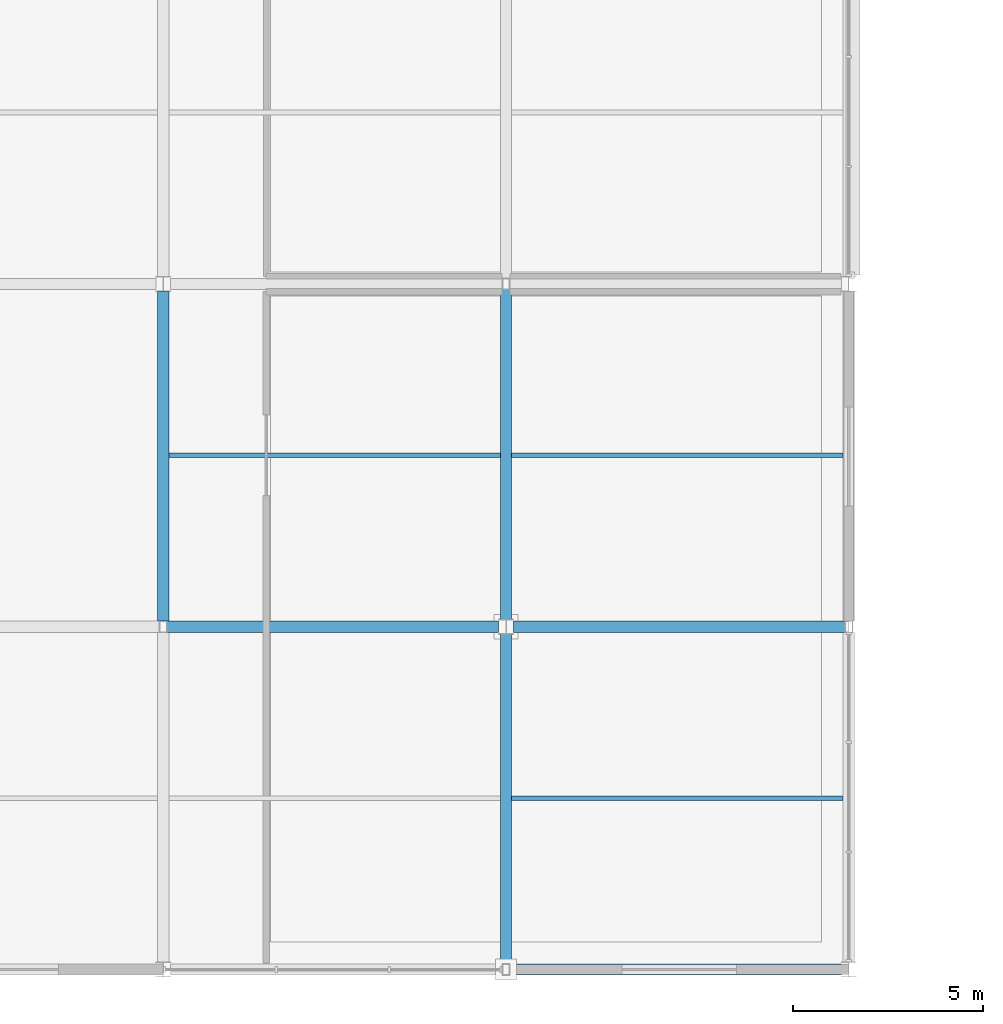
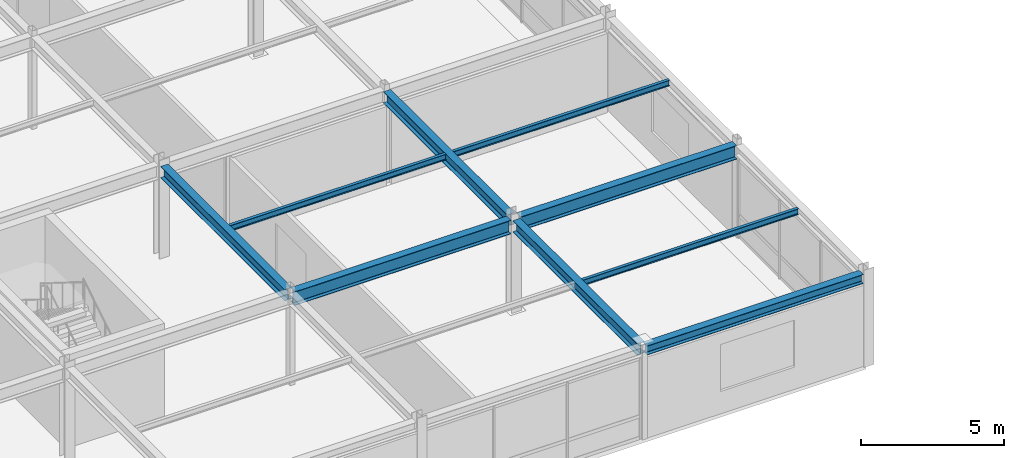
# One storey, part 22 of 105: 9 beams.
"""IFC4 building model written with IfcOpenShell, lengths in metres."""

from ifc_helpers import new_model, si_unit, direction, frame, origin, origin_2d, place, context, subcontext, project, spatial, i_section, extrude, material, material_profile, profile_set, type_object, element, save


model = new_model("IFC4")

# Units and contexts
model_context = context("Model", 3, precision=1e-05, world=origin(), true_north=direction((0.0, 1.0)))
body_context = subcontext(model_context, "Body", "Model", "MODEL_VIEW")
ifc_project = project(units=[si_unit("LENGTHUNIT", "METRE"), si_unit("AREAUNIT", "SQUARE_METRE"), si_unit("VOLUMEUNIT", "CUBIC_METRE"), si_unit("PLANEANGLEUNIT", "RADIAN"), si_unit("MASSUNIT", "GRAM", prefix="KILO")], contexts=[model_context])

# Site, building, storey
site_placement = place(None, origin())
site = spatial("IfcSite", under=ifc_project, at=site_placement, CompositionType="ELEMENT")
building_placement = place(site_placement, origin())
building = spatial("IfcBuilding", under=site, at=building_placement, Name="Suzunagisa Mobility Hub", CompositionType="ELEMENT")
storey_placement = place(building_placement, frame((0.0, 0.0, 5.10009765625)))
storey = spatial("IfcBuildingStorey", under=building, at=storey_placement, Name="L01", CompositionType="ELEMENT", Elevation=5.10009765625)

# Beams
ifc_material_1 = material(Name="Steel SN490B", Category="steel")
ifc_material_profile_1 = material_profile(ifc_material_1, i_section(OverallWidth=0.300048828125, OverallDepth=0.488037109375, WebThickness=0.010986328125, FlangeThickness=0.01806640625, FilletRadius=0.012939453125, at=origin_2d()), Name="H-488x300x11x18")
ifc_profile_set_1 = profile_set([ifc_material_profile_1], Name="Steel SN490B")
beam_type_1 = type_object("IfcBeamType", Name="Steel Beam BM-06 H-488x300x11x18", PredefinedType="BEAM", material=ifc_profile_set_1)
for number, where, z_axis, x_axis, name in (
    (1, (18.0, 9.14599609375, 3.69580078125), (0.0, 1.0, 0.0), (-1.0, 0.0, 0.0), "L01 Primary Girder GY-219"),
    (2, (27.0, 9.196044921875, 3.69580078125), (0.0, 1.0, 0.0), (-1.0, 0.0, 0.0), "L01 Primary Girder GY-225"),
    (3, (27.0, 0.14599609375, 3.69580078125), (0.0, 1.0, 0.0), (-1.0, 0.0, 0.0), "L01 Primary Girder GY-265"),
):
    element("IfcBeam", number, at=place(storey_placement, frame(where, z_axis=z_axis, x_axis=x_axis)), inside=storey, type_object=beam_type_1, Name=name, PredefinedType="BEAM", context=body_context, shape_type="SweptSolid", body=[
        extrude(i_section(OverallWidth=0.300048828125, OverallDepth=0.488037109375, WebThickness=0.010986328125, FlangeThickness=0.01806640625, FilletRadius=0.012939453125, at=origin_2d()), origin(), (0.0, 0.0, 1.0), 8.657958984375),
    ])
ifc_material_profile_2 = material_profile(ifc_material_1, i_section(OverallWidth=0.300048828125, OverallDepth=0.389892578125, WebThickness=0.010009765625, FlangeThickness=0.01611328125, FilletRadius=0.012939453125, at=origin_2d()), Name="H-390x300x10x16")
ifc_profile_set_2 = profile_set([ifc_material_profile_2], Name="Steel SN490B")
beam_type_2 = type_object("IfcBeamType", Name="Steel Beam BM-13 H-390x300x10x16", PredefinedType="SPANDREL", material=ifc_profile_set_2)
beam_placement = place(storey_placement, frame((27.095947265625, 0.0, 3.744873046875), z_axis=(1.0, 0.0, 0.0), x_axis=(0.0, 1.0, 0.0)))
element("IfcBeam", 4, at=beam_placement, inside=storey, type_object=beam_type_2, Name="L01 Primary Girder GX-260", PredefinedType="SPANDREL", context=body_context, shape_type="SweptSolid", body=[
    extrude(i_section(OverallWidth=0.300048828125, OverallDepth=0.389892578125, WebThickness=0.010009765625, FlangeThickness=0.01611328125, FilletRadius=0.012939453125, at=origin_2d()), origin(), (0.0, 0.0, 1.0), 8.7080078125),
])
ifc_material_profile_3 = material_profile(ifc_material_1, i_section(OverallWidth=0.300048828125, OverallDepth=0.587890625, WebThickness=0.011962890625, FlangeThickness=0.02001953125, FilletRadius=0.012939453125, at=origin_2d()), Name="H-588x300x12x20")
ifc_profile_set_3 = profile_set([ifc_material_profile_3], Name="Steel SN490B")
beam_type_3 = type_object("IfcBeamType", Name="Steel Beam BM-16 H-588x300x12x20", PredefinedType="BEAM", material=ifc_profile_set_3)
for number, where, z_axis, x_axis, name in (
    (5, (18.095947265625, 9.0, 3.64599609375), (1.0, 0.0, 0.0), (0.0, 1.0, 0.0), "L01 Primary Girder GX-182"),
    (6, (27.196044921875, 9.0, 3.64599609375), (1.0, 0.0, 0.0), (0.0, 1.0, 0.0), "L01 Primary Girder GX-183"),
):
    element("IfcBeam", number, at=place(storey_placement, frame(where, z_axis=z_axis, x_axis=x_axis)), inside=storey, type_object=beam_type_3, Name=name, PredefinedType="BEAM", context=body_context, shape_type="SweptSolid", body=[
        extrude(i_section(OverallWidth=0.300048828125, OverallDepth=0.587890625, WebThickness=0.011962890625, FlangeThickness=0.02001953125, FilletRadius=0.012939453125, at=origin_2d()), origin(), (0.0, 0.0, 1.0), 8.7080078125),
    ])
ifc_material_2 = material(Name="Steel SN400B", Category="steel")
ifc_material_profile_4 = material_profile(ifc_material_2, i_section(OverallWidth=0.125, OverallDepth=0.25, WebThickness=0.006103515625, FlangeThickness=0.009033203125, FilletRadius=0.008056640625, at=origin_2d()), Name="H-250x125x6x9")
ifc_profile_set_4 = profile_set([ifc_material_profile_4], Name="Steel SN400B")
beam_type_4 = type_object("IfcBeamType", Name="Steel Beam BM-21 H-250x125x6x9", PredefinedType="JOIST", material=ifc_profile_set_4)
for number, where, z_axis, x_axis, name in (
    (7, (18.14990234375, 13.5, 3.8349609375), (1.0, 0.0, 0.0), (0.0, 1.0, 0.0), "L01 Composite Floor Joist J-247"),
    (8, (27.14990234375, 13.5, 3.8349609375), (1.0, 0.0, 0.0), (0.0, 1.0, 0.0), "L01 Composite Floor Joist J-252"),
    (9, (27.14990234375, 4.5, 3.81494140625), (1.0, 0.0, 0.0), (0.0, 1.0, 0.0), "L01 Composite Floor Joist J-270"),
):
    element("IfcBeam", number, at=place(storey_placement, frame(where, z_axis=z_axis, x_axis=x_axis)), inside=storey, type_object=beam_type_4, Name=name, PredefinedType="JOIST", context=body_context, shape_type="SweptSolid", body=[
        extrude(i_section(OverallWidth=0.125, OverallDepth=0.25, WebThickness=0.006103515625, FlangeThickness=0.009033203125, FilletRadius=0.008056640625, at=origin_2d()), origin(), (0.0, 0.0, 1.0), 8.7001953125),
    ])

save(model, "model.ifc")
